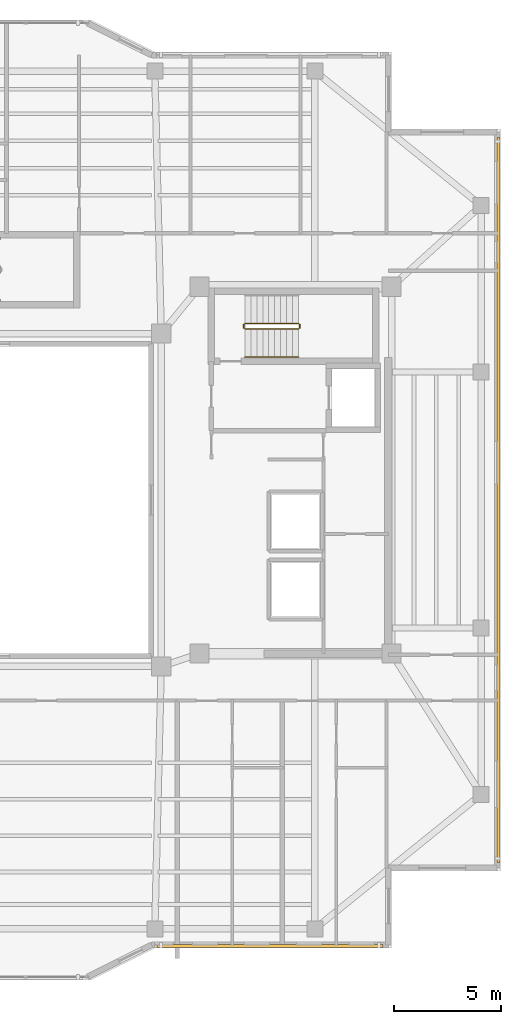
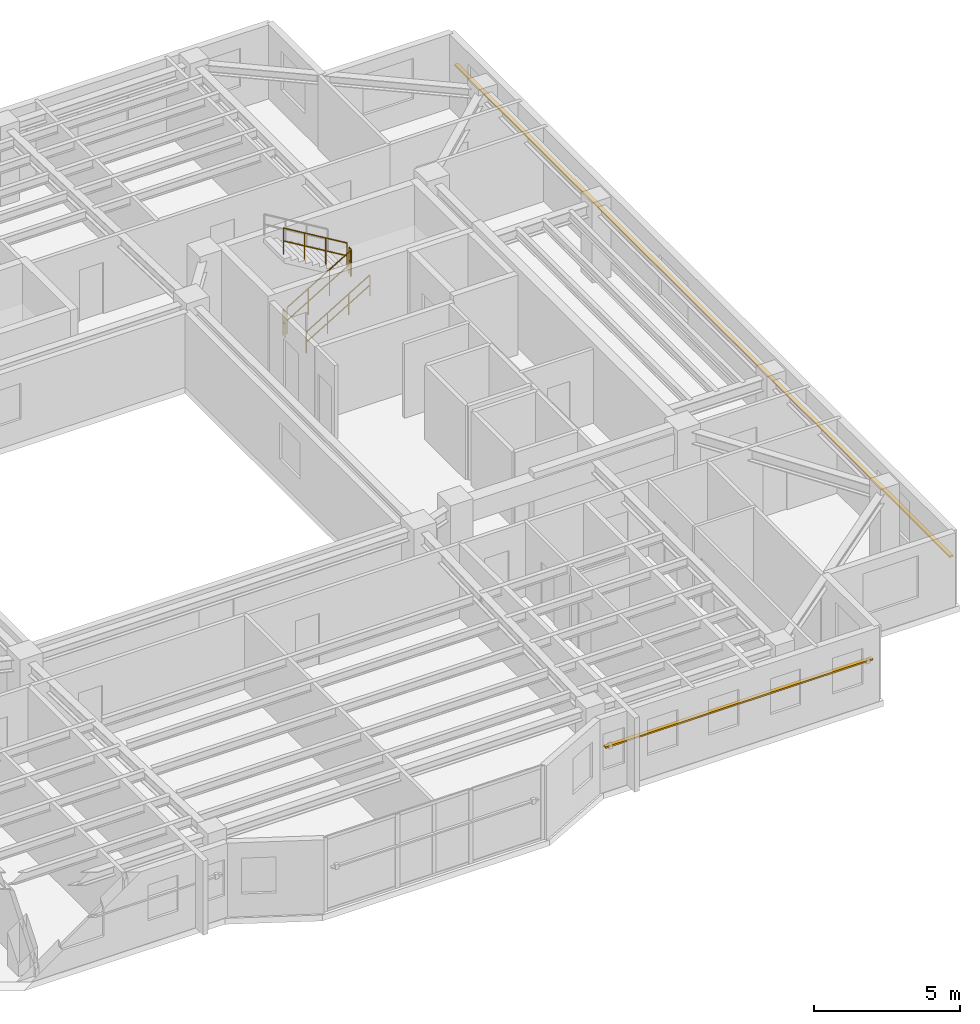
# One storey, part 12 of 13: 5 railings, 2 shading devices.
"""IFC4 building model written with IfcOpenShell, lengths in metres."""

from ifc_helpers import new_model, si_unit, direction, frame, origin, origin_2d, place, context, subcontext, project, spatial, rectangle, circle, extrude, material, material_profile, profile_set, type_object, element, save


model = new_model("IFC4")

# Units and contexts
model_context = context("Model", 3, precision=1e-05, world=origin(), true_north=direction((0.0, 1.0)))
body_context = subcontext(model_context, "Body", "Model", "MODEL_VIEW")
ifc_project = project(units=[si_unit("LENGTHUNIT", "METRE"), si_unit("AREAUNIT", "SQUARE_METRE"), si_unit("VOLUMEUNIT", "CUBIC_METRE"), si_unit("PLANEANGLEUNIT", "RADIAN"), si_unit("MASSUNIT", "GRAM", prefix="KILO")], contexts=[model_context])

# Site, building, storey
site_placement = place(None, origin())
site = spatial("IfcSite", under=ifc_project, at=site_placement, CompositionType="ELEMENT")
building_placement = place(site_placement, origin())
building = spatial("IfcBuilding", under=site, at=building_placement, Name="Tarnavaz Court Tower", CompositionType="ELEMENT")
storey_placement = place(building_placement, frame((0.0, 0.0, 193.60009765625)))
storey = spatial("IfcBuildingStorey", under=building, at=storey_placement, Name="L52", CompositionType="ELEMENT", Elevation=193.60009765625)

# Railings
ifc_material_1 = material(Name="Brushed Stainless Steel", Category="steel")
railing_type_1 = type_object("IfcRailingType", Name="RL-HANDRAIL-900", PredefinedType="HANDRAIL", material=ifc_material_1)
railing_1_placement = place(storey_placement, frame((11.719970703125, 6.699951171875, 0.16748046875)))
element("IfcRailing", 1, at=railing_1_placement, inside=storey, type_object=railing_type_1, Name="L52 ST-E1 stair handrail 1", PredefinedType="HANDRAIL", context=body_context, shape_type="SweptSolid", body=[
    extrude(circle(Radius=0.02392578125, at=origin_2d()), frame((0.0, 0.0, 0.8759765625), z_axis=(0.858196387827, 0.0, 0.513321497621), x_axis=(0.0, 1.0, 0.0)), (0.0, 0.0, 1.0), 2.9365234375),
    extrude(circle(Radius=0.02392578125, at=origin_2d()), frame((0.0, 0.0, 0.449951171875), z_axis=(0.858196387827, 0.0, 0.513321497621), x_axis=(0.0, 1.0, 0.0)), (0.0, 0.0, 1.0), 2.9365234375),
    extrude(circle(Radius=0.02099609375, at=origin_2d()), origin(), (0.0, 0.0, 1.0), 0.851806640625),
    extrude(circle(Radius=0.02099609375, at=origin_2d()), frame((0.840087890625, 0.0, 0.50244140625)), (0.0, 0.0, 1.0), 0.851806640625),
    extrude(circle(Radius=0.02099609375, at=origin_2d()), frame((1.679931640625, 0.0, 1.0048828125)), (0.0, 0.0, 1.0), 0.851806640625),
    extrude(circle(Radius=0.02099609375, at=origin_2d()), frame((2.52001953125, 0.0, 1.50732421875)), (0.0, 0.0, 1.0), 0.851806640625),
])
ifc_material_2 = material(Name="Galvanized Painted Tubular Steel", Category="steel")
railing_type_2 = type_object("IfcRailingType", Name="RL-STGUARD-1120", PredefinedType="GUARDRAIL", material=ifc_material_2)
railing_2_placement = place(storey_placement, frame((11.719970703125, 8.02001953125, 0.16748046875)))
element("IfcRailing", 2, at=railing_2_placement, inside=storey, type_object=railing_type_2, Name="L52 ST-E1 stair guard 1", PredefinedType="GUARDRAIL", context=body_context, shape_type="SweptSolid", body=[
    extrude(circle(Radius=0.02392578125, at=origin_2d()), frame((0.0, 0.0, 1.09619140625), z_axis=(0.858196387827, 0.0, 0.513321497621), x_axis=(0.0, 1.0, 0.0)), (0.0, 0.0, 1.0), 2.9365234375),
    extrude(circle(Radius=0.02392578125, at=origin_2d()), frame((0.0, 0.0, 0.56005859375), z_axis=(0.858196387827, 0.0, 0.513321497621), x_axis=(0.0, 1.0, 0.0)), (0.0, 0.0, 1.0), 2.9365234375),
    extrude(circle(Radius=0.02099609375, at=origin_2d()), origin(), (0.0, 0.0, 1.0), 1.072021484375),
    extrude(circle(Radius=0.02099609375, at=origin_2d()), frame((0.840087890625, 0.0, 0.50244140625)), (0.0, 0.0, 1.0), 1.072021484375),
    extrude(circle(Radius=0.02099609375, at=origin_2d()), frame((1.679931640625, 0.0, 1.0048828125)), (0.0, 0.0, 1.0), 1.072021484375),
    extrude(circle(Radius=0.02099609375, at=origin_2d()), frame((2.52001953125, 0.0, 1.50732421875)), (0.0, 0.0, 1.0), 1.072021484375),
])
railing_3_placement = place(storey_placement, frame((14.2900390625, 8.070068359375, 1.6748046875)))
element("IfcRailing", 3, at=railing_3_placement, inside=storey, type_object=railing_type_2, Name="L52 ST-E1 stair guard 2", PredefinedType="GUARDRAIL", context=body_context, shape_type="SweptSolid", body=[
    extrude(circle(Radius=0.02392578125, at=origin_2d()), frame((0.0, 0.0, 1.09619140625), z_axis=(0.0, 1.0, 0.0), x_axis=(-1.0, 0.0, 0.0)), (0.0, 0.0, 1.0), 0.14990234375),
    extrude(circle(Radius=0.02392578125, at=origin_2d()), frame((0.0, 0.0, 0.56005859375), z_axis=(0.0, 1.0, 0.0), x_axis=(-1.0, 0.0, 0.0)), (0.0, 0.0, 1.0), 0.14990234375),
    extrude(circle(Radius=0.02099609375, at=origin_2d()), origin(), (0.0, 0.0, 1.0), 1.072021484375),
    extrude(circle(Radius=0.02099609375, at=origin_2d()), frame((0.0, 0.14990234375, 0.0)), (0.0, 0.0, 1.0), 1.072021484375),
])
railing_4_placement = place(storey_placement, frame((14.239990234375, 8.27001953125, 1.84228515625)))
element("IfcRailing", 4, at=railing_4_placement, inside=storey, type_object=railing_type_2, Name="L52 ST-E1 stair guard 3", PredefinedType="GUARDRAIL", context=body_context, shape_type="SweptSolid", body=[
    extrude(circle(Radius=0.02392578125, at=origin_2d()), frame((0.0, 0.0, 1.09619140625), z_axis=(-0.858159760407, 0.0, 0.513382728203), x_axis=(0.0, -1.0, 0.0)), (0.0, 0.0, 1.0), 2.9365234375),
    extrude(circle(Radius=0.02392578125, at=origin_2d()), frame((0.0, 0.0, 0.56005859375), z_axis=(-0.858159760407, 0.0, 0.513382728203), x_axis=(0.0, -1.0, 0.0)), (0.0, 0.0, 1.0), 2.9365234375),
    extrude(circle(Radius=0.02099609375, at=origin_2d()), origin(), (0.0, 0.0, 1.0), 1.072021484375),
    extrude(circle(Radius=0.02099609375, at=origin_2d()), frame((-0.840087890625, 0.0, 0.50244140625)), (0.0, 0.0, 1.0), 1.072021484375),
    extrude(circle(Radius=0.02099609375, at=origin_2d()), frame((-1.679931640625, 0.0, 1.005126953125)), (0.0, 0.0, 1.0), 1.072021484375),
    extrude(circle(Radius=0.02099609375, at=origin_2d()), frame((-2.52001953125, 0.0, 1.507568359375)), (0.0, 0.0, 1.0), 1.072021484375),
])
railing_5_placement = place(storey_placement, frame((11.669921875, 8.070068359375, 0.0)))
element("IfcRailing", 5, at=railing_5_placement, inside=storey, type_object=railing_type_2, Name="L52 ST-E1 stair guard 4", PredefinedType="GUARDRAIL", context=body_context, shape_type="SweptSolid", body=[
    extrude(circle(Radius=0.02392578125, at=origin_2d()), frame((0.0, 0.0, 1.09619140625), z_axis=(0.0, 1.0, 0.0), x_axis=(-1.0, 0.0, 0.0)), (0.0, 0.0, 1.0), 0.14990234375),
    extrude(circle(Radius=0.02392578125, at=origin_2d()), frame((0.0, 0.0, 0.56005859375), z_axis=(0.0, 1.0, 0.0), x_axis=(-1.0, 0.0, 0.0)), (0.0, 0.0, 1.0), 0.14990234375),
    extrude(circle(Radius=0.02099609375, at=origin_2d()), origin(), (0.0, 0.0, 1.0), 1.072021484375),
    extrude(circle(Radius=0.02099609375, at=origin_2d()), frame((0.0, 0.14990234375, 0.0)), (0.0, 0.0, 1.0), 1.072021484375),
])

# Shading devices
ifc_material_3 = material(Name="Kiln-Fired Khorasan Terracotta Ceramic", Category="masonry")
ifc_material_profile = material_profile(ifc_material_3, rectangle(XDim=0.14990234375, YDim=0.06494140625, at=origin_2d()), Name="TC BAGUETTE 150X65")
ifc_profile_set = profile_set([ifc_material_profile], Name="Kiln-Fired Khorasan Terracotta Ceramic")
shading_device_type = type_object("IfcShadingDeviceType", Name="SD-BAG-150", PredefinedType="USERDEFINED", material=ifc_profile_set)
shading_device_1_placement = place(storey_placement, frame((23.610107421875, 17.0, 1.849853515625), z_axis=(0.0, -1.0, 0.0), x_axis=(1.0, 0.0, 0.0)))
element("IfcShadingDevice", 6, at=shading_device_1_placement, inside=storey, type_object=shading_device_type, Name="L52 Terracotta Baguette Screen FBG12", ObjectType="BAGUETTE", PredefinedType="USERDEFINED", context=body_context, shape_type="SweptSolid", body=[
    extrude(rectangle(XDim=0.14990234375, YDim=0.06494140625, at=origin_2d()), origin(), (0.0, 0.0, 1.0), 34.0),
])
shading_device_2_placement = place(storey_placement, frame((18.199951171875, -20.909912109375, 1.849853515625), z_axis=(-1.0, 0.0, 0.0), x_axis=(0.0, -1.0, 0.0)))
element("IfcShadingDevice", 7, at=shading_device_2_placement, inside=storey, type_object=shading_device_type, Name="L52 Terracotta Baguette Screen FBG15", ObjectType="BAGUETTE", PredefinedType="USERDEFINED", context=body_context, shape_type="SweptSolid", body=[
    extrude(rectangle(XDim=0.14990234375, YDim=0.06494140625, at=origin_2d()), origin(), (0.0, 0.0, 1.0), 10.599853515625),
])

save(model, "model.ifc")
